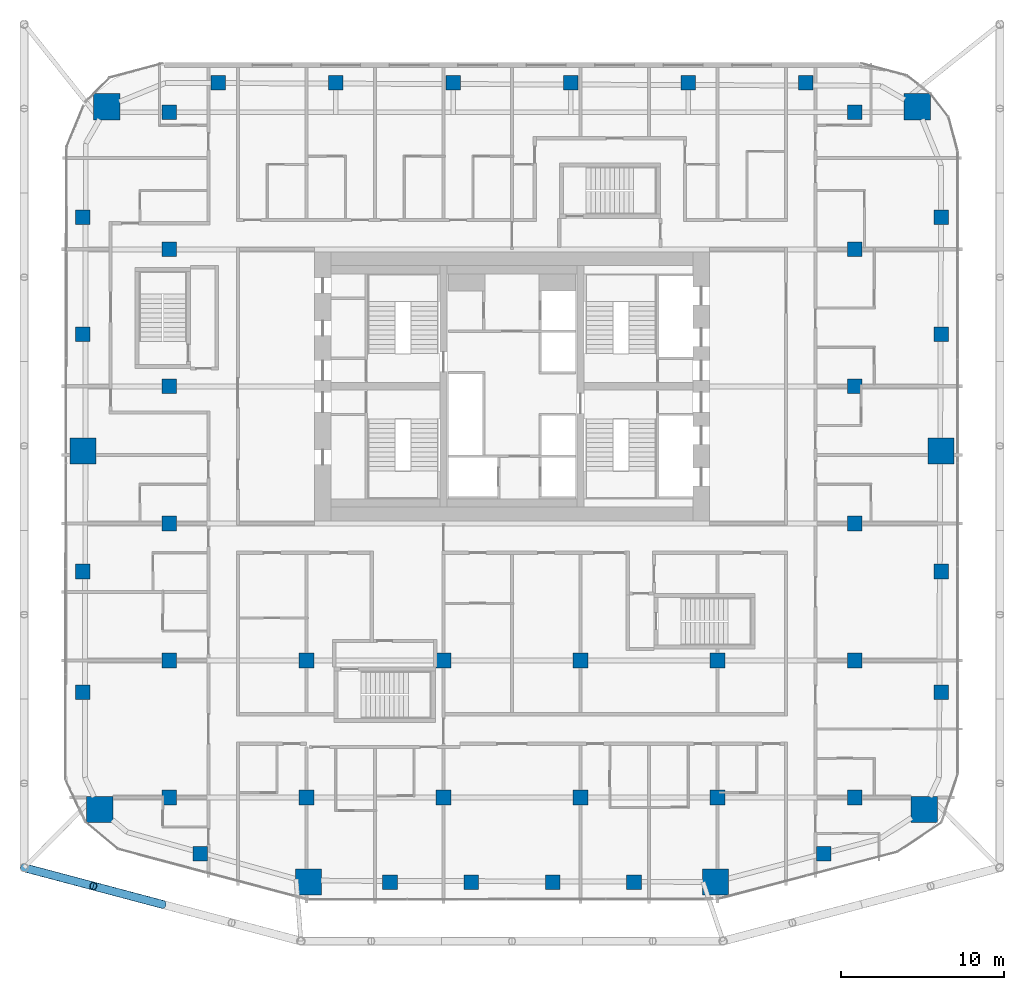
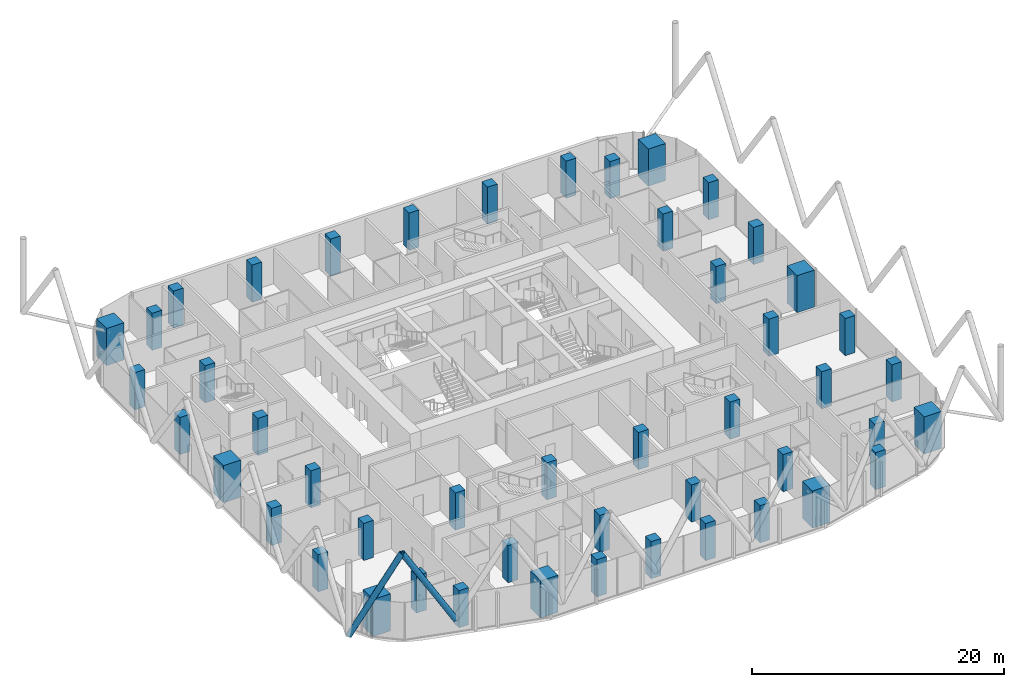
# One storey, part 1 of 33: 48 columns, 2 members.
"""IFC4 building model written with IfcOpenShell, lengths in metres."""

from ifc_helpers import new_model, si_unit, direction, frame, origin, origin_2d, place, context, subcontext, project, spatial, rectangle, hollow_circle, extrude, material, material_profile, profile_set, type_object, element, save


model = new_model("IFC4")

# Units and contexts
model_context = context("Model", 3, precision=1e-05, world=origin(), true_north=direction((0.0, 1.0)))
body_context = subcontext(model_context, "Body", "Model", "MODEL_VIEW")
ifc_project = project(units=[si_unit("LENGTHUNIT", "METRE"), si_unit("AREAUNIT", "SQUARE_METRE"), si_unit("VOLUMEUNIT", "CUBIC_METRE"), si_unit("PLANEANGLEUNIT", "RADIAN"), si_unit("MASSUNIT", "GRAM", prefix="KILO")], contexts=[model_context])

# Site, building, storey
site_placement = place(None, origin())
site = spatial("IfcSite", under=ifc_project, at=site_placement, CompositionType="ELEMENT")
building_placement = place(site_placement, origin())
building = spatial("IfcBuilding", under=site, at=building_placement, Name="Marenta Gate Hotel Tower", CompositionType="ELEMENT")
storey_placement = place(building_placement, frame((0.0, 0.0, 122.89990234375)))
storey = spatial("IfcBuildingStorey", under=building, at=storey_placement, Name="L27", CompositionType="ELEMENT", Elevation=122.89990234375)

# Columns
ifc_material_1 = material(Name="Concrete C70", Category="concrete")
ifc_material_profile_1 = material_profile(ifc_material_1, rectangle(XDim=0.89990234375, YDim=0.89990234375, at=origin_2d()), Name="900 x 900")
ifc_profile_set_1 = profile_set([ifc_material_profile_1], Name="Concrete C70")
column_type_1 = type_object("IfcColumnType", Name="Edge column 900 x 900 C70", PredefinedType="COLUMN", material=ifc_profile_set_1)
for number, where, z_axis, x_axis, name in (
    (1, (-26.300048828125, -10.351806640625, 0.0), (0.0, 0.0, 1.0), (1.0, 0.0, 0.0), "L27-EC-SW-W-1"),
    (2, (-26.300048828125, -2.950927734375, 0.0), (0.0, 0.0, 1.0), (1.0, 0.0, 0.0), "L27-EC-SW-W-2"),
    (3, (-26.300048828125, 11.603271484375, 0.0), (0.0, 0.0, 1.0), (1.0, 0.0, 0.0), "L27-EC-W-NW-1"),
    (4, (-26.300048828125, 18.75634765625, 0.0), (0.0, 0.0, 1.0), (1.0, 0.0, 0.0), "L27-EC-W-NW-2"),
    (5, (-18.0068359375, 27.0, 0.0), (0.0, 0.0, 1.0), (1.0, 0.0, 0.0), "L27-EC-NW-NE-1"),
    (6, (-10.80419921875, 27.0, 0.0), (0.0, 0.0, 1.0), (1.0, 0.0, 0.0), "L27-EC-NW-NE-2"),
    (7, (-3.601318359375, 27.0, 0.0), (0.0, 0.0, 1.0), (1.0, 0.0, 0.0), "L27-EC-NW-NE-3"),
    (8, (3.601318359375, 27.0, 0.0), (0.0, 0.0, 1.0), (1.0, 0.0, 0.0), "L27-EC-NW-NE-4"),
    (9, (10.80419921875, 27.0, 0.0), (0.0, 0.0, 1.0), (1.0, 0.0, 0.0), "L27-EC-NW-NE-5"),
    (10, (18.0068359375, 27.0, 0.0), (0.0, 0.0, 1.0), (1.0, 0.0, 0.0), "L27-EC-NW-NE-6"),
    (11, (26.300048828125, 18.75634765625, 0.0), (0.0, 0.0, 1.0), (1.0, 0.0, 0.0), "L27-EC-NE-E-1"),
    (12, (26.300048828125, 11.603271484375, 0.0), (0.0, 0.0, 1.0), (1.0, 0.0, 0.0), "L27-EC-NE-E-2"),
    (13, (26.300048828125, -2.950927734375, 0.0), (0.0, 0.0, 1.0), (1.0, 0.0, 0.0), "L27-EC-E-SE-1"),
    (14, (26.300048828125, -10.351806640625, 0.0), (0.0, 0.0, 1.0), (1.0, 0.0, 0.0), "L27-EC-E-SE-2"),
    (15, (19.106689453125, -20.239013671875, 0.0), (0.0, 0.0, 1.0), (1.0, 0.0, 0.0), "L27-EC-SE-SKE-1"),
    (16, (7.47998046875, -22.0, 0.0), (0.0, 0.0, 1.0), (1.0, 0.0, 0.0), "L27-EC-SKE-SKW-1"),
    (17, (2.493408203125, -22.0, 0.0), (0.0, 0.0, 1.0), (1.0, 0.0, 0.0), "L27-EC-SKE-SKW-2"),
    (18, (-2.493408203125, -22.0, 0.0), (0.0, 0.0, 1.0), (1.0, 0.0, 0.0), "L27-EC-SKE-SKW-3"),
    (19, (-7.47998046875, -22.0, 0.0), (0.0, 0.0, 1.0), (1.0, 0.0, 0.0), "L27-EC-SKE-SKW-4"),
    (20, (-19.106689453125, -20.239013671875, 0.0), (0.0, 0.0, 1.0), (1.0, 0.0, 0.0), "L27-EC-SKW-SW-1"),
):
    element("IfcColumn", number, at=place(storey_placement, frame(where, z_axis=z_axis, x_axis=x_axis)), inside=storey, type_object=column_type_1, Name=name, PredefinedType="COLUMN", context=body_context, shape_type="SweptSolid", body=[
        extrude(rectangle(XDim=0.89990234375, YDim=0.89990234375, at=origin_2d()), origin(), (0.0, 0.0, 1.0), 3.60009765625),
    ])
ifc_material_2 = material(Name="Concrete C70", Category="concrete")
ifc_material_profile_2 = material_profile(ifc_material_2, rectangle(XDim=0.89990234375, YDim=0.89990234375, at=origin_2d()), Name="900 x 900")
ifc_profile_set_2 = profile_set([ifc_material_profile_2], Name="Concrete C70")
column_type_2 = type_object("IfcColumnType", Name="Interior column 900 x 900 C70", PredefinedType="COLUMN", material=ifc_profile_set_2)
for number, where, z_axis, x_axis, name in (
    (21, (-21.0, -16.800048828125, 0.0), (0.0, 0.0, 1.0), (1.0, 0.0, 0.0), "L27-IC-4D"),
    (22, (-21.0, -8.39990234375, 0.0), (0.0, 0.0, 1.0), (1.0, 0.0, 0.0), "L27-IC-4E"),
    (23, (-21.0, 0.0, 0.0), (0.0, 0.0, 1.0), (1.0, 0.0, 0.0), "L27-IC-4F"),
    (24, (-21.0, 8.39990234375, 0.0), (0.0, 0.0, 1.0), (1.0, 0.0, 0.0), "L27-IC-4G"),
    (25, (-21.0, 16.800048828125, 0.0), (0.0, 0.0, 1.0), (1.0, 0.0, 0.0), "L27-IC-4H"),
    (26, (-21.0, 25.199951171875, 0.0), (0.0, 0.0, 1.0), (1.0, 0.0, 0.0), "L27-IC-4I"),
    (27, (-12.60009765625, -16.800048828125, 0.0), (0.0, 0.0, 1.0), (1.0, 0.0, 0.0), "L27-IC-5D"),
    (28, (-12.60009765625, -8.39990234375, 0.0), (0.0, 0.0, 1.0), (1.0, 0.0, 0.0), "L27-IC-5E"),
    (29, (-4.199951171875, -16.800048828125, 0.0), (0.0, 0.0, 1.0), (1.0, 0.0, 0.0), "L27-IC-6D"),
    (30, (-4.199951171875, -8.39990234375, 0.0), (0.0, 0.0, 1.0), (1.0, 0.0, 0.0), "L27-IC-6E"),
    (31, (4.199951171875, -16.800048828125, 0.0), (0.0, 0.0, 1.0), (1.0, 0.0, 0.0), "L27-IC-7D"),
    (32, (4.199951171875, -8.39990234375, 0.0), (0.0, 0.0, 1.0), (1.0, 0.0, 0.0), "L27-IC-7E"),
    (33, (12.60009765625, -16.800048828125, 0.0), (0.0, 0.0, 1.0), (1.0, 0.0, 0.0), "L27-IC-8D"),
    (34, (12.60009765625, -8.39990234375, 0.0), (0.0, 0.0, 1.0), (1.0, 0.0, 0.0), "L27-IC-8E"),
    (35, (21.0, -16.800048828125, 0.0), (0.0, 0.0, 1.0), (1.0, 0.0, 0.0), "L27-IC-9D"),
    (36, (21.0, -8.39990234375, 0.0), (0.0, 0.0, 1.0), (1.0, 0.0, 0.0), "L27-IC-9E"),
    (37, (21.0, 0.0, 0.0), (0.0, 0.0, 1.0), (1.0, 0.0, 0.0), "L27-IC-9F"),
    (38, (21.0, 8.39990234375, 0.0), (0.0, 0.0, 1.0), (1.0, 0.0, 0.0), "L27-IC-9G"),
    (39, (21.0, 16.800048828125, 0.0), (0.0, 0.0, 1.0), (1.0, 0.0, 0.0), "L27-IC-9H"),
    (40, (21.0, 25.199951171875, 0.0), (0.0, 0.0, 1.0), (1.0, 0.0, 0.0), "L27-IC-9I"),
):
    element("IfcColumn", number, at=place(storey_placement, frame(where, z_axis=z_axis, x_axis=x_axis)), inside=storey, type_object=column_type_2, Name=name, PredefinedType="COLUMN", context=body_context, shape_type="SweptSolid", body=[
        extrude(rectangle(XDim=0.89990234375, YDim=0.89990234375, at=origin_2d()), origin(), (0.0, 0.0, 1.0), 3.60009765625),
    ])
ifc_material_3 = material(Name="Concrete C70", Category="concrete")
ifc_material_profile_3 = material_profile(ifc_material_3, rectangle(XDim=1.60009765625, YDim=1.60009765625, at=origin_2d()), Name="1600 x 1600")
ifc_profile_set_3 = profile_set([ifc_material_profile_3], Name="Concrete C70")
column_type_3 = type_object("IfcColumnType", Name="Mega column 1600 x 1600 C70", PredefinedType="COLUMN", material=ifc_profile_set_3)
for number, where, z_axis, x_axis, name in (
    (41, (-25.262939453125, -17.532958984375, 0.0), (0.0, 0.0, 1.0), (1.0, 0.0, 0.0), "L27-MC-SW"),
    (42, (-12.46630859375, -21.974853515625, 0.0), (0.0, 0.0, 1.0), (1.0, 0.0, 0.0), "L27-MC-SKW"),
    (43, (12.46630859375, -21.974853515625, 0.0), (0.0, 0.0, 1.0), (1.0, 0.0, 0.0), "L27-MC-SKE"),
    (44, (25.262939453125, -17.532958984375, 0.0), (0.0, 0.0, 1.0), (1.0, 0.0, 0.0), "L27-MC-SE"),
    (45, (26.300048828125, 4.449951171875, 0.0), (0.0, 0.0, 1.0), (1.0, 0.0, 0.0), "L27-MC-E"),
    (46, (24.83544921875, 25.535400390625, 0.0), (0.0, 0.0, 1.0), (1.0, 0.0, 0.0), "L27-MC-NE"),
    (47, (-24.83544921875, 25.535400390625, 0.0), (0.0, 0.0, 1.0), (1.0, 0.0, 0.0), "L27-MC-NW"),
    (48, (-26.300048828125, 4.449951171875, 0.0), (0.0, 0.0, 1.0), (1.0, 0.0, 0.0), "L27-MC-W"),
):
    element("IfcColumn", number, at=place(storey_placement, frame(where, z_axis=z_axis, x_axis=x_axis)), inside=storey, type_object=column_type_3, Name=name, PredefinedType="COLUMN", context=body_context, shape_type="SweptSolid", body=[
        extrude(rectangle(XDim=1.60009765625, YDim=1.60009765625, at=origin_2d()), origin(), (0.0, 0.0, 1.0), 3.60009765625),
    ])

# Members
ifc_material_4 = material(Name="Steel S355J2W", Category="steel")
ifc_material_profile_4 = material_profile(ifc_material_4, hollow_circle(Radius=0.25390625, WallThickness=0.0400390625, at=origin_2d()), Name="CHS 508x40")
ifc_profile_set_4 = profile_set([ifc_material_profile_4], Name="Steel S355J2W")
member_type = type_object("IfcMemberType", Name="Diagrid diagonal Z2 CHS 508x40", PredefinedType="BRACE", material=ifc_profile_set_4)
member_1_placement = place(storey_placement, frame((-21.41943359375, -23.35009765625, 3.14013671875), z_axis=(-0.502945650976, 0.133431605717, 0.853956485285), x_axis=(-0.256429393985, -0.966562965306, 0.0)))
element("IfcMember", 49, at=member_1_placement, inside=storey, type_object=member_type, Name="L27-DG-23", PredefinedType="BRACE", context=body_context, shape_type="SweptSolid", body=[
    extrude(hollow_circle(Radius=0.25390625, WallThickness=0.0400390625, at=origin_2d()), origin(), (0.0, 0.0, 1.0), 8.431396484375),
])
member_2_placement = place(storey_placement, frame((-29.89990234375, -21.10009765625, 3.14013671875), z_axis=(0.502902385412, -0.133435492139, 0.853981358218), x_axis=(0.256456982503, 0.966555645644, 0.0)))
element("IfcMember", 50, at=member_2_placement, inside=storey, type_object=member_type, Name="L27-DG-24", PredefinedType="BRACE", context=body_context, shape_type="SweptSolid", body=[
    extrude(hollow_circle(Radius=0.25390625, WallThickness=0.0400390625, at=origin_2d()), origin(), (0.0, 0.0, 1.0), 8.43115234375),
])

save(model, "model.ifc")
